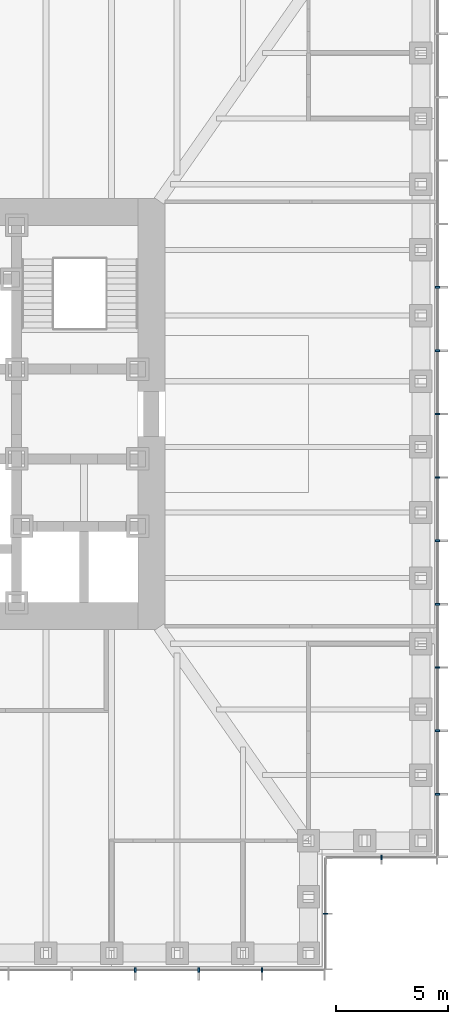
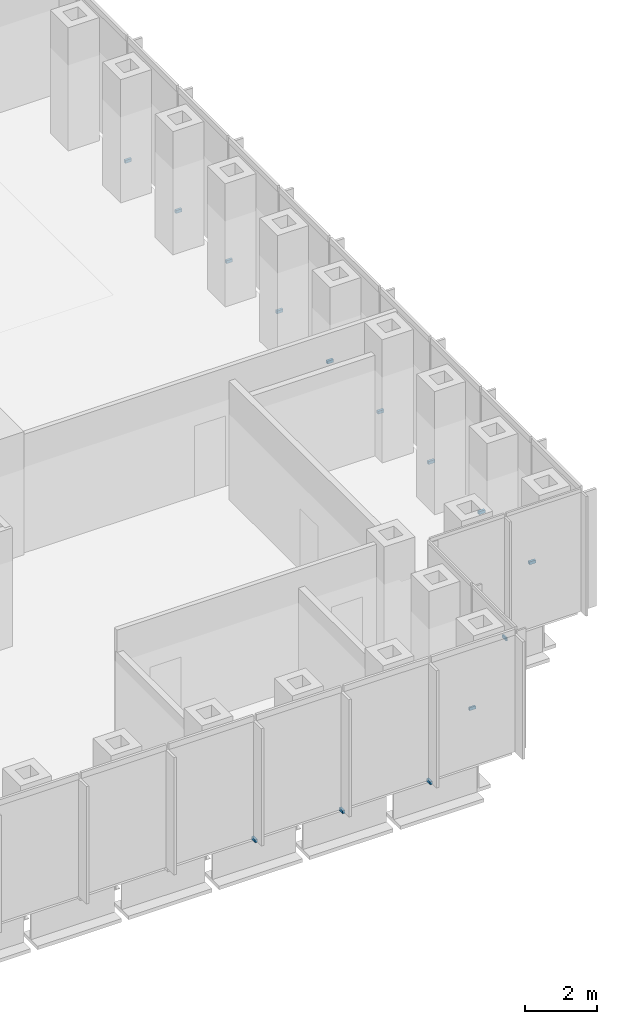
# One storey, part 13 of 16: 14 discrete accessories.
"""IFC4 building model written with IfcOpenShell, lengths in metres."""

import ifcopenshell
import ifcopenshell.guid

model = None  # the IFC model being written
_history = None  # IfcOwnerHistory: only IFC2X3 demands one
_inside = {}  # id of a spatial element -> (the spatial element, [elements in it])
_under = {}  # id of a project, library or spatial element -> (it, [spatial elements below it])
_declared = {}  # id of a project -> (the project, [libraries it declares])
_typed = {}  # id of a type object -> (the type object, [elements of that type])
_made_of = {}  # id of a material, layer set ... -> (it, [elements and type objects made of it])


def new_model(schema):
    """Start an empty IFC model of exactly this schema.

    Asked for "IFC4X3", IfcOpenShell would pick the latest addendum, in which some entities
    have other attributes; the version numbers below select the first issue.
    IFC2X3 requires an IfcOwnerHistory on every rooted entity: one is made here for all.
    """
    global model, _history
    if schema == "IFC4X3":
        model = ifcopenshell.file(schema_version=(4, 3, 0, 0))
    else:
        model = ifcopenshell.file(schema=schema)
    _inside.clear()
    _under.clear()
    _declared.clear()
    _typed.clear()
    _made_of.clear()
    _history = None
    if model.schema == "IFC2X3":
        org = make("IfcOrganization", Name="unknown")
        user = make(
            "IfcPersonAndOrganization",
            ThePerson=make("IfcPerson", FamilyName="unknown"),
            TheOrganization=org,
        )
        app = make(
            "IfcApplication",
            ApplicationDeveloper=org,
            Version="unknown",
            ApplicationFullName="unknown",
            ApplicationIdentifier="unknown",
        )
        _history = make(
            "IfcOwnerHistory",
            OwningUser=user,
            OwningApplication=app,
            ChangeAction="ADDED",
            CreationDate=0,
        )
    return model


def make(cls, **values):
    """One entity of the class cls with the attributes given. An attribute that is None is left unset."""
    return model.create_entity(
        cls, **{name: value for name, value in values.items() if value is not None}
    )


def rooted(cls, **values):
    """An entity with a GlobalId (a new one), such as an element, a storey or a relation."""
    return make(cls, GlobalId=ifcopenshell.guid.new(), OwnerHistory=_history, **values)


def si_unit(unit_type, name, prefix=None):
    """IfcSIUnit, for example si_unit("LENGTHUNIT", "METRE", prefix="MILLI")."""
    return make("IfcSIUnit", UnitType=unit_type, Prefix=prefix, Name=name)


def assignment(units):
    """IfcUnitAssignment: the units of a project."""
    return None if units is None else make("IfcUnitAssignment", Units=units)


def point(xyz):
    """IfcCartesianPoint."""
    return None if xyz is None else make("IfcCartesianPoint", Coordinates=xyz)


def direction(xyz):
    """IfcDirection."""
    return None if xyz is None else make("IfcDirection", DirectionRatios=xyz)


def frame(location, z_axis=None, x_axis=None):
    """IfcAxis2Placement3D, a coordinate frame: its origin and axes. An axis left out is left unset."""
    return make(
        "IfcAxis2Placement3D",
        Location=point(location),
        Axis=direction(z_axis),
        RefDirection=direction(x_axis),
    )


def frame_2d(location, x_axis=None):
    """IfcAxis2Placement2D, a coordinate frame in the plane: its origin and x axis."""
    return make(
        "IfcAxis2Placement2D", Location=point(location), RefDirection=direction(x_axis)
    )


def origin():
    """The frame at (0, 0, 0) with its axes left unset."""
    return frame((0.0, 0.0, 0.0))


def origin_2d():
    """The frame at (0, 0) in the plane with its x axis left unset."""
    return frame_2d((0.0, 0.0))


def place(relative_to, where):
    """IfcLocalPlacement: puts the frame where relative to a parent placement (None: the world)."""
    return make(
        "IfcLocalPlacement", PlacementRelTo=relative_to, RelativePlacement=where
    )


def context(
    kind, dimensions, precision=None, world=None, true_north=None, identifier=None
):
    """IfcGeometricRepresentationContext, for example the 3D "Model" context."""
    return make(
        "IfcGeometricRepresentationContext",
        ContextIdentifier=identifier,
        ContextType=kind,
        CoordinateSpaceDimension=dimensions,
        Precision=precision,
        WorldCoordinateSystem=world,
        TrueNorth=true_north,
    )


def subcontext(parent, identifier, kind, view, scale=None):
    """IfcGeometricRepresentationSubContext, for example "Body" below "Model"."""
    return make(
        "IfcGeometricRepresentationSubContext",
        ContextIdentifier=identifier,
        ContextType=kind,
        ParentContext=parent,
        TargetScale=scale,
        TargetView=view,
    )


def project(units=None, contexts=None):
    """IfcProject with its units and contexts."""
    return rooted(
        "IfcProject",
        Name="project",
        RepresentationContexts=contexts,
        UnitsInContext=assignment(units),
    )


def spatial(cls, under=None, at=None, **own):
    """A site, building, storey or space (cls), placed at a placement, below another one or the project."""
    s = rooted(cls, ObjectPlacement=at, **own)
    if under is not None:
        _under.setdefault(under.id(), (under, []))[1].append(s)
    return s


def profile(cls, at=None, kind="AREA", **sizes):
    """A parametric profile (cls). Its sizes go by their IFC names, for example OverallWidth=200.0."""
    return make(cls, ProfileType=kind, Position=at, **sizes)


def rectangle(**sizes):
    """IfcRectangleProfileDef."""
    return profile("IfcRectangleProfileDef", **sizes)


def extrude(swept, where, along, depth):
    """IfcExtrudedAreaSolid: the profile swept, set in the frame where, extruded along a direction by depth."""
    return make(
        "IfcExtrudedAreaSolid",
        SweptArea=swept,
        Position=where,
        ExtrudedDirection=direction(along),
        Depth=depth,
    )


def shape(context_of_items, identifier, shape_type, items):
    """IfcShapeRepresentation: the items that make up one representation, for example the "Body"."""
    return make(
        "IfcShapeRepresentation",
        ContextOfItems=context_of_items,
        RepresentationIdentifier=identifier,
        RepresentationType=shape_type,
        Items=items,
    )


def made_of(thing, what):
    """Note that an element or type object is made of a material, layer set ...; save() writes the relation."""
    if what is not None:
        _made_of.setdefault(what.id(), (what, []))[1].append(thing)
    return thing


def element(
    cls,
    number,
    at=None,
    inside=None,
    cuts=None,
    type_object=None,
    material=None,
    context=None,
    identifier="Body",
    shape_type=None,
    held_by="IfcProductDefinitionShape",
    body=None,
    shapes=None,
    **own,
):
    """One element of the class cls, such as IfcWall. Its Tag is "e" and its number.

    at: its placement. inside: the storey or other place that contains it. cuts: it is an
    opening in that element (IfcRelVoidsElement). A single representation is given by context,
    identifier, shape_type and body (its items); several are given by shapes. held_by: the class
    of the entity that holds the representations. save() writes the other relations.
    """
    e = rooted(cls, Tag="e%d" % number, ObjectPlacement=at, **own)
    if body is not None:
        shapes = [shape(context, identifier, shape_type, body)]
    if shapes is not None:
        e.Representation = make(held_by, Representations=shapes)
    if inside is not None:
        _inside.setdefault(inside.id(), (inside, []))[1].append(e)
    if cuts is not None:
        rooted(
            "IfcRelVoidsElement", RelatingBuildingElement=cuts, RelatedOpeningElement=e
        )
    if type_object is not None:
        _typed.setdefault(type_object.id(), (type_object, []))[1].append(e)
    return made_of(e, material)


def aggregate(whole, parts):
    """IfcRelAggregates: a whole, such as a stair, and the parts it consists of."""
    return rooted("IfcRelAggregates", RelatingObject=whole, RelatedObjects=parts)


def save(model, path):
    """Write the relations noted so far, then the file.

    IfcRelAggregates (storeys below a building ...), IfcRelContainedInSpatialStructure (elements
    in a storey), IfcRelDefinesByType, IfcRelAssociatesMaterial and IfcRelDeclares: one each for
    every whole, place, type object, material and project.
    """
    for whole, parts in _under.values():
        aggregate(whole, parts)
    for where, things in _inside.values():
        rooted(
            "IfcRelContainedInSpatialStructure",
            RelatedElements=things,
            RelatingStructure=where,
        )
    for kind, things in _typed.values():
        rooted("IfcRelDefinesByType", RelatedObjects=things, RelatingType=kind)
    for what, things in _made_of.values():
        rooted("IfcRelAssociatesMaterial", RelatedObjects=things, RelatingMaterial=what)
    for by, libraries in _declared.values():
        rooted("IfcRelDeclares", RelatingContext=by, RelatedDefinitions=libraries)
    model.write(path)


model = new_model("IFC4")

# Units and contexts
model_context = context("Model", 3, precision=1e-05, world=origin(), true_north=direction((0.0, 1.0)))
body_context = subcontext(model_context, "Body", "Model", "MODEL_VIEW")
ifc_project = project(units=[si_unit("LENGTHUNIT", "METRE"), si_unit("AREAUNIT", "SQUARE_METRE"), si_unit("VOLUMEUNIT", "CUBIC_METRE"), si_unit("PLANEANGLEUNIT", "RADIAN"), si_unit("MASSUNIT", "GRAM", prefix="KILO")], contexts=[model_context])

# Site, building, storey
site_placement = place(None, origin())
site = spatial("IfcSite", under=ifc_project, at=site_placement, CompositionType="ELEMENT")
building_placement = place(site_placement, origin())
building = spatial("IfcBuilding", under=site, at=building_placement, Name="Daluyong Arena Tower", CompositionType="ELEMENT")
storey_placement = place(building_placement, frame((0.0, 0.0, 47.5)))
storey = spatial("IfcBuildingStorey", under=building, at=storey_placement, Name="L09", CompositionType="ELEMENT", Elevation=47.5)

# Discrete accessories
for number, where, z_axis, x_axis, name in (
    (1, (67.28564453125, 55.25, -0.10009765625), (0.0, 0.0, 1.0), (1.0, 0.0, 0.0), "curtain wall L09 S anchor bracket 12"),
    (2, (70.107177734375, 55.25, -0.10009765625), (0.0, 0.0, 1.0), (1.0, 0.0, 0.0), "curtain wall L09 S anchor bracket 13"),
    (3, (72.928466796875, 55.25, -0.10009765625), (0.0, 0.0, 1.0), (1.0, 0.0, 0.0), "curtain wall L09 S anchor bracket 14"),
):
    element("IfcDiscreteAccessory", number, at=place(storey_placement, frame(where, z_axis=z_axis, x_axis=x_axis)), inside=storey, Name=name, PredefinedType="BRACKET", context=body_context, shape_type="SweptSolid", body=[
        extrude(rectangle(XDim=0.080078125, YDim=0.199951171875, at=origin_2d()), origin(), (0.0, 0.0, 1.0), 0.10009765625),
    ])
for number, where, z_axis, x_axis, name in (
    (4, (75.75, 57.75, -0.10009765625), (0.0, 0.0, 1.0), (0.0, 1.0, 0.0), "curtain wall L09 SE-E anchor bracket 2"),
    (5, (78.25, 60.25, -0.10009765625), (0.0, 0.0, 1.0), (1.0, 0.0, 0.0), "curtain wall L09 SE-S anchor bracket 2"),
):
    element("IfcDiscreteAccessory", number, at=place(storey_placement, frame(where, z_axis=z_axis, x_axis=x_axis)), inside=storey, Name=name, PredefinedType="BRACKET", context=body_context, shape_type="SweptSolid", body=[
        extrude(rectangle(XDim=0.06005859375, YDim=0.199951171875, at=origin_2d()), origin(), (0.0, 0.0, 1.0), 0.10009765625),
    ])
for number, where, z_axis, x_axis, name in (
    (6, (80.75, 63.071533203125, -0.10009765625), (0.0, 0.0, 1.0), (0.0, 1.0, 0.0), "curtain wall L09 E anchor bracket 2"),
    (7, (80.75, 65.892822265625, -0.10009765625), (0.0, 0.0, 1.0), (0.0, 1.0, 0.0), "curtain wall L09 E anchor bracket 3"),
    (8, (80.75, 68.71435546875, -0.10009765625), (0.0, 0.0, 1.0), (0.0, 1.0, 0.0), "curtain wall L09 E anchor bracket 4"),
    (9, (80.75, 71.53564453125, -0.10009765625), (0.0, 0.0, 1.0), (0.0, 1.0, 0.0), "curtain wall L09 E anchor bracket 5"),
    (10, (80.75, 74.357177734375, -0.10009765625), (0.0, 0.0, 1.0), (0.0, 1.0, 0.0), "curtain wall L09 E anchor bracket 6"),
    (11, (80.75, 77.178466796875, -0.10009765625), (0.0, 0.0, 1.0), (0.0, 1.0, 0.0), "curtain wall L09 E anchor bracket 7"),
    (12, (80.75, 80.0, -0.10009765625), (0.0, 0.0, 1.0), (0.0, 1.0, 0.0), "curtain wall L09 E anchor bracket 8"),
    (13, (80.75, 82.821533203125, -0.10009765625), (0.0, 0.0, 1.0), (0.0, 1.0, 0.0), "curtain wall L09 E anchor bracket 9"),
    (14, (80.75, 85.642822265625, -0.10009765625), (0.0, 0.0, 1.0), (0.0, 1.0, 0.0), "curtain wall L09 E anchor bracket 10"),
):
    element("IfcDiscreteAccessory", number, at=place(storey_placement, frame(where, z_axis=z_axis, x_axis=x_axis)), inside=storey, Name=name, PredefinedType="BRACKET", context=body_context, shape_type="SweptSolid", body=[
        extrude(rectangle(XDim=0.080078125, YDim=0.199951171875, at=origin_2d()), origin(), (0.0, 0.0, 1.0), 0.10009765625),
    ])

save(model, "model.ifc")
